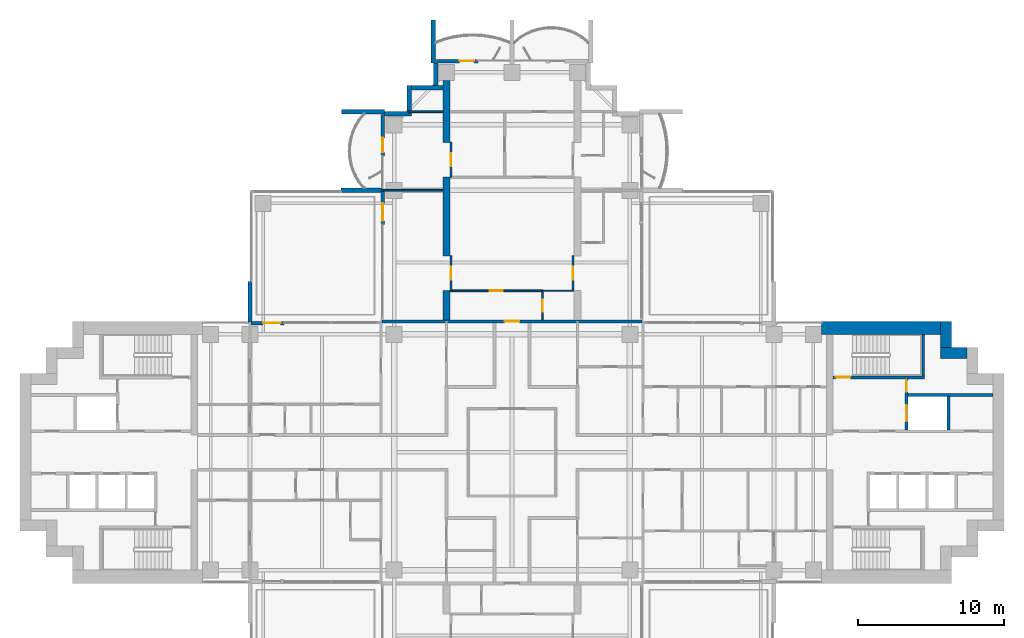
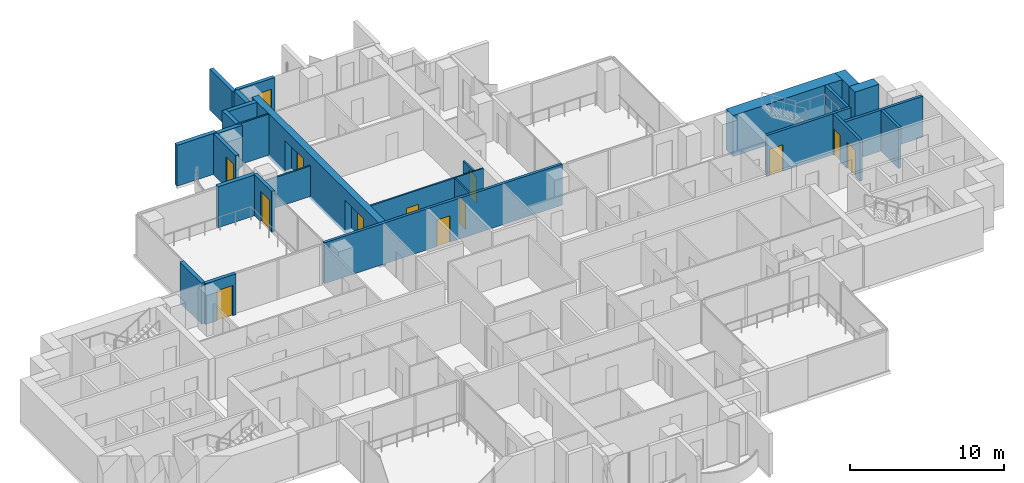
# One storey, part 13 of 19: 30 walls, 13 doors, 13 openings.
"""IFC4 building model written with IfcOpenShell, lengths in metres."""

from ifc_helpers import new_model, si_unit, direction, frame, frame_2d, origin, place, context, subcontext, project, spatial, polyline, rectangle, outline, extrude, material, layer, layer_set, material_profile, profile_set, type_object, element, fill, save


model = new_model("IFC4")

# Units and contexts
model_context = context("Model", 3, precision=1e-05, world=origin(), true_north=direction((0.0, 1.0)))
body_context = subcontext(model_context, "Body", "Model", "MODEL_VIEW")
ifc_project = project(units=[si_unit("LENGTHUNIT", "METRE"), si_unit("AREAUNIT", "SQUARE_METRE"), si_unit("VOLUMEUNIT", "CUBIC_METRE"), si_unit("PLANEANGLEUNIT", "RADIAN"), si_unit("MASSUNIT", "GRAM", prefix="KILO")], contexts=[model_context])

# Site, building, storey
site_placement = place(None, origin())
site = spatial("IfcSite", under=ifc_project, at=site_placement, CompositionType="ELEMENT")
building_placement = place(site_placement, origin())
building = spatial("IfcBuilding", under=site, at=building_placement, Name="Perihelion Cross Residences", CompositionType="ELEMENT")
storey_placement = place(building_placement, frame((0.0, 0.0, 119.89990234375)))
storey = spatial("IfcBuildingStorey", under=building, at=storey_placement, Name="L28", CompositionType="ELEMENT", Elevation=119.89990234375)

# Wall, opening, door
ifc_material_1 = material(Name="Plasterboard partition")
ifc_layer_1 = layer(ifc_material_1, 0.199951171875)
ifc_layer_set_1 = layer_set([ifc_layer_1], Name="Apartment separation wall 200")
wall_type_1 = type_object("IfcWallType", Name="Apartment separation wall 200", PredefinedType="PARTITIONING", material=ifc_layer_set_1)
wall_1_placement = place(storey_placement, frame((-8.919921875, 9.0, 0.0), z_axis=(0.0, 0.0, 1.0), x_axis=(1.0, 0.0, 0.0)))
wall_1 = element("IfcWall", 1, at=wall_1_placement, inside=storey, type_object=wall_type_1, Name="Partition L28 W021", PredefinedType="PARTITIONING", context=body_context, shape_type="SweptSolid", body=[
    extrude(rectangle(XDim=17.83984375, YDim=0.199951171875, at=frame_2d((8.919921875, 0.0))), origin(), (0.0, 0.0, 1.0), 3.25),
])
opening_1_placement = place(wall_1_placement, frame((8.419921875, 0.0, 0.0)))
opening_1 = element("IfcOpeningElement", 2, at=opening_1_placement, cuts=wall_1, Name="Opening L28.A35", PredefinedType="OPENING", context=body_context, shape_type="SweptSolid", body=[
    extrude(rectangle(XDim=1.0, YDim=2.10009765625, at=frame_2d((0.5, 1.050048828125))), frame((0.0, 0.10986328125, 0.0), z_axis=(0.0, -1.0, 0.0), x_axis=(1.0, 0.0, 0.0)), (0.0, 0.0, 1.0), 0.219970703125),
])
ifc_material_2 = material(Name="Timber door leaf", Category="wood")
door_type_1 = type_object("IfcDoorType", Name="Flat entrance door 1000 x 2100", OperationType="SINGLE_SWING_LEFT", PredefinedType="DOOR", material=ifc_material_2)
door_1_placement = place(opening_1_placement, origin())
door_1 = element("IfcDoor", 3, at=door_1_placement, inside=storey, type_object=door_type_1, Name="Door L28.A35", OperationType="SINGLE_SWING_LEFT", OverallHeight=2.10009765625, OverallWidth=1.0, PredefinedType="DOOR", context=body_context, shape_type="SweptSolid", body=[
    extrude(rectangle(XDim=1.0, YDim=2.10009765625, at=frame_2d((0.5, 1.050048828125))), frame((0.0, 0.02490234375, 0.0), z_axis=(0.0, -1.0, 0.0), x_axis=(1.0, 0.0, 0.0)), (0.0, 0.0, 1.0), 0.050048828125),
])
fill(opening_1, door_1)

ifc_material_3 = material(Name="Concrete C30/37, bronze-clad", Category="concrete")
ifc_layer_2 = layer(ifc_material_3, 0.25)
ifc_layer_set_2 = layer_set([ifc_layer_2], Name="Bronze-clad pier wall 250")
wall_type_2 = type_object("IfcWallType", Name="Bronze-clad pier wall 250", PredefinedType="SOLIDWALL", material=ifc_layer_set_2)
wall_2_placement = place(storey_placement, frame((-2.35009765625, 26.875, 0.0), z_axis=(0.0, 0.0, 1.0), x_axis=(-1.0, 0.0, 0.0)))
wall_2 = element("IfcWall", 4, at=wall_2_placement, inside=storey, type_object=wall_type_2, Name="Wall FW1 L28 north tip north bay 2 pier", PredefinedType="SOLIDWALL", context=body_context, shape_type="SweptSolid", body=[
    extrude(rectangle(XDim=2.849853515625, YDim=0.25, at=frame_2d((1.4248046875, 0.0))), origin(), (0.0, 0.0, 1.0), 3.25),
])
opening_2_placement = place(wall_2_placement, frame((0.25, 0.0, 0.0)))
opening_2 = element("IfcOpeningElement", 5, at=opening_2_placement, cuts=wall_2, Name="Opening L28.E05", PredefinedType="OPENING", context=body_context, shape_type="SweptSolid", body=[
    extrude(rectangle(XDim=1.0, YDim=2.39990234375, at=frame_2d((0.5, 1.199951171875))), frame((0.0, 0.135009765625, 0.0), z_axis=(0.0, -1.0, 0.0), x_axis=(1.0, 0.0, 0.0)), (0.0, 0.0, 1.0), 0.27001953125),
])
ifc_material_4 = material(Name="Bronze anodised aluminium, glazed", Category="aluminium")
door_type_2 = type_object("IfcDoorType", Name="Balcony door 1000 x 2400", OperationType="NOTDEFINED", PredefinedType="DOOR", material=ifc_material_4)
door_2_placement = place(opening_2_placement, origin())
door_2 = element("IfcDoor", 6, at=door_2_placement, inside=storey, type_object=door_type_2, Name="Door L28.E05 north tip north bay 2", OperationType="SINGLE_SWING_RIGHT", OverallHeight=2.39990234375, OverallWidth=1.0, PredefinedType="DOOR", context=body_context, shape_type="SweptSolid", body=[
    extrude(rectangle(XDim=1.0, YDim=2.39990234375, at=frame_2d((0.5, 1.199951171875))), frame((0.0, 0.02490234375, 0.0), z_axis=(0.0, -1.0, 0.0), x_axis=(1.0, 0.0, 0.0)), (0.0, 0.0, 1.0), 0.050048828125),
])
fill(opening_2, door_2)

wall_3_placement = place(storey_placement, frame((-8.875, 23.199951171875, 0.0), z_axis=(0.0, 0.0, 1.0), x_axis=(0.0, -1.0, 0.0)))
wall_3 = element("IfcWall", 7, at=wall_3_placement, inside=storey, type_object=wall_type_2, Name="Wall FW1 L28 north side west bay 1 pier", PredefinedType="SOLIDWALL", context=body_context, shape_type="SweptSolid", body=[
    extrude(rectangle(XDim=2.849853515625, YDim=0.25, at=frame_2d((1.4248046875, 0.0))), origin(), (0.0, 0.0, 1.0), 3.25),
])
opening_3_placement = place(wall_3_placement, frame((1.60009765625, 0.0, 0.0)))
opening_3 = element("IfcOpeningElement", 8, at=opening_3_placement, cuts=wall_3, Name="Opening L28.E06", PredefinedType="OPENING", context=body_context, shape_type="SweptSolid", body=[
    extrude(rectangle(XDim=1.0, YDim=2.39990234375, at=frame_2d((0.5, 1.199951171875))), frame((0.0, 0.135009765625, 0.0), z_axis=(0.0, -1.0, 0.0), x_axis=(1.0, 0.0, 0.0)), (0.0, 0.0, 1.0), 0.27001953125),
])
door_3_placement = place(opening_3_placement, origin())
door_3 = element("IfcDoor", 9, at=door_3_placement, inside=storey, type_object=door_type_2, Name="Door L28.E06 north side west bay 1", OperationType="SINGLE_SWING_LEFT", OverallHeight=2.39990234375, OverallWidth=1.0, PredefinedType="DOOR", context=body_context, shape_type="SweptSolid", body=[
    extrude(rectangle(XDim=1.0, YDim=2.39990234375, at=frame_2d((0.5, 1.199951171875))), frame((0.0, 0.02490234375, 0.0), z_axis=(0.0, -1.0, 0.0), x_axis=(1.0, 0.0, 0.0)), (0.0, 0.0, 1.0), 0.050048828125),
])
fill(opening_3, door_3)

wall_4_placement = place(storey_placement, frame((-8.875, 17.93994140625, 0.0), z_axis=(0.0, 0.0, 1.0), x_axis=(0.0, -1.0, 0.0)))
wall_4 = element("IfcWall", 10, at=wall_4_placement, inside=storey, type_object=wall_type_2, Name="Wall FW1 L28 north side west bay 2 pier", PredefinedType="SOLIDWALL", context=body_context, shape_type="SweptSolid", body=[
    extrude(rectangle(XDim=2.2900390625, YDim=0.25, at=frame_2d((1.14501953125, 0.0))), origin(), (0.0, 0.0, 1.0), 3.25),
])
opening_4_placement = place(wall_4_placement, frame((0.840087890625, 0.0, 0.0)))
opening_4 = element("IfcOpeningElement", 11, at=opening_4_placement, cuts=wall_4, Name="Opening L28.E07", PredefinedType="OPENING", context=body_context, shape_type="SweptSolid", body=[
    extrude(rectangle(XDim=1.199951171875, YDim=2.39990234375, at=frame_2d((0.60009765625, 1.199951171875))), frame((0.0, 0.135009765625, 0.0), z_axis=(0.0, -1.0, 0.0), x_axis=(1.0, 0.0, 0.0)), (0.0, 0.0, 1.0), 0.27001953125),
])
ifc_material_5 = material(Name="Bronze anodised aluminium, glazed", Category="aluminium")
door_type_3 = type_object("IfcDoorType", Name="Balcony door 1200 x 2400", OperationType="NOTDEFINED", PredefinedType="DOOR", material=ifc_material_5)
door_4_placement = place(opening_4_placement, origin())
door_4 = element("IfcDoor", 12, at=door_4_placement, inside=storey, type_object=door_type_3, Name="Door L28.E07 north side west bay 2", OperationType="SINGLE_SWING_RIGHT", OverallHeight=2.39990234375, OverallWidth=1.199951171875, PredefinedType="DOOR", context=body_context, shape_type="SweptSolid", body=[
    extrude(rectangle(XDim=1.199951171875, YDim=2.39990234375, at=frame_2d((0.60009765625, 1.199951171875))), frame((0.0, 0.02490234375, 0.0), z_axis=(0.0, -1.0, 0.0), x_axis=(1.0, 0.0, 0.0)), (0.0, 0.0, 1.0), 0.050048828125),
])
fill(opening_4, door_4)

wall_5_placement = place(storey_placement, frame((-15.64990234375, 8.875, 0.0), z_axis=(0.0, 0.0, 1.0), x_axis=(-1.0, 0.0, 0.0)))
wall_5 = element("IfcWall", 13, at=wall_5_placement, inside=storey, type_object=wall_type_2, Name="Wall FW1 L28 west side north bay 1 pier", PredefinedType="SOLIDWALL", context=body_context, shape_type="SweptSolid", body=[
    extrude(rectangle(XDim=2.2900390625, YDim=0.25, at=frame_2d((1.14501953125, 0.0))), origin(), (0.0, 0.0, 1.0), 3.25),
])
opening_5_placement = place(wall_5_placement, frame((0.25, 0.0, 0.0)))
opening_5 = element("IfcOpeningElement", 14, at=opening_5_placement, cuts=wall_5, Name="Opening L28.E08", PredefinedType="OPENING", context=body_context, shape_type="SweptSolid", body=[
    extrude(rectangle(XDim=1.199951171875, YDim=2.39990234375, at=frame_2d((0.60009765625, 1.199951171875))), frame((0.0, 0.135009765625, 0.0), z_axis=(0.0, -1.0, 0.0), x_axis=(1.0, 0.0, 0.0)), (0.0, 0.0, 1.0), 0.27001953125),
])
door_5_placement = place(opening_5_placement, origin())
door_5 = element("IfcDoor", 15, at=door_5_placement, inside=storey, type_object=door_type_3, Name="Door L28.E08 west side north bay 1", OperationType="SINGLE_SWING_LEFT", OverallHeight=2.39990234375, OverallWidth=1.199951171875, PredefinedType="DOOR", context=body_context, shape_type="SweptSolid", body=[
    extrude(rectangle(XDim=1.199951171875, YDim=2.39990234375, at=frame_2d((0.60009765625, 1.199951171875))), frame((0.0, 0.02490234375, 0.0), z_axis=(0.0, -1.0, 0.0), x_axis=(1.0, 0.0, 0.0)), (0.0, 0.0, 1.0), 0.050048828125),
])
fill(opening_5, door_5)

# Walls
ifc_material_6 = material(Name="Concrete C30/37, bronze-clad", Category="concrete")
ifc_layer_3 = layer(ifc_material_6, 0.300048828125)
ifc_layer_set_3 = layer_set([ifc_layer_3], Name="Bronze-clad serration wall 300")
wall_type_3 = type_object("IfcWallType", Name="Bronze-clad serration wall 300", PredefinedType="SOLIDWALL", material=ifc_layer_set_3)
wall_6_placement = place(storey_placement, frame((-5.25, 26.75, 0.0), z_axis=(0.0, 0.0, 1.0), x_axis=(0.0, -1.0, 0.0)))
element("IfcWall", 16, at=wall_6_placement, inside=storey, type_object=wall_type_3, Name="Wall SR1 L28 north corner north-west 1", PredefinedType="SOLIDWALL", context=body_context, shape_type="SweptSolid", body=[
    extrude(rectangle(XDim=1.550048828125, YDim=0.300048828125, at=frame_2d((0.77490234375, 0.0))), origin(), (0.0, 0.0, 1.0), 3.25),
])
wall_7_placement = place(storey_placement, frame((-4.75, 25.050048828125, 0.0), z_axis=(0.0, 0.0, 1.0), x_axis=(-1.0, 0.0, 0.0)))
element("IfcWall", 17, at=wall_7_placement, inside=storey, type_object=wall_type_3, Name="Wall SR1 L28 north corner north-west 2", PredefinedType="SOLIDWALL", context=body_context, shape_type="SweptSolid", body=[
    extrude(rectangle(XDim=2.14990234375, YDim=0.300048828125, at=frame_2d((1.074951171875, 0.0))), origin(), (0.0, 0.0, 1.0), 3.25),
])
wall_8_placement = place(storey_placement, frame((-7.050048828125, 25.199951171875, 0.0), z_axis=(0.0, 0.0, 1.0), x_axis=(0.0, -1.0, 0.0)))
element("IfcWall", 18, at=wall_8_placement, inside=storey, type_object=wall_type_3, Name="Wall SR1 L28 north corner north-west 3", PredefinedType="SOLIDWALL", context=body_context, shape_type="SweptSolid", body=[
    extrude(rectangle(XDim=1.800048828125, YDim=0.300048828125, at=frame_2d((0.89990234375, 0.0))), origin(), (0.0, 0.0, 1.0), 3.25),
])
wall_9_placement = place(storey_placement, frame((-6.89990234375, 23.25, 0.0), z_axis=(0.0, 0.0, 1.0), x_axis=(-1.0, 0.0, 0.0)))
element("IfcWall", 19, at=wall_9_placement, inside=storey, type_object=wall_type_3, Name="Wall SR1 L28 north corner north-west 4", PredefinedType="SOLIDWALL", context=body_context, shape_type="SweptSolid", body=[
    extrude(rectangle(XDim=1.85009765625, YDim=0.300048828125, at=frame_2d((0.925048828125, 0.0))), origin(), (0.0, 0.0, 1.0), 3.25),
])
ifc_material_7 = material(Name="Concrete C60/75", Category="concrete")
ifc_layer_4 = layer(ifc_material_7, 0.75)
ifc_layer_set_4 = layer_set([ifc_layer_4], Name="Core wall, outer 750")
wall_type_4 = type_object("IfcWallType", Name="Core wall, outer 750", PredefinedType="SHEAR", material=ifc_layer_set_4)
for number, where, z_axis, x_axis, name in (
    (20, (29.449951171875, 6.824951171875, 0.0), (0.0, 0.0, 1.0), (1.0, 0.0, 0.0), "East core core wall, outer"),
    (21, (29.824951171875, 7.199951171875, 0.0), (0.0, 0.0, 1.0), (0.0, 1.0, 0.0), "East core core wall, outer"),
):
    element("IfcWall", number, at=place(storey_placement, frame(where, z_axis=z_axis, x_axis=x_axis)), inside=storey, type_object=wall_type_4, Name=name, PredefinedType="SHEAR", context=body_context, shape_type="SweptSolid", body=[
        extrude(rectangle(XDim=1.800048828125, YDim=0.75, at=frame_2d((0.89990234375, 0.0))), origin(), (0.0, 0.0, 1.0), 3.25),
    ])
ifc_material_8 = material(Name="Concrete C60/75", Category="concrete")
ifc_layer_5 = layer(ifc_material_8, 0.89990234375)
ifc_layer_set_5 = layer_set([ifc_layer_5], Name="Core wall, outer 900")
wall_type_5 = type_object("IfcWallType", Name="Core wall, outer 900", PredefinedType="SHEAR", material=ifc_layer_set_5)
wall_10_placement = place(storey_placement, frame((21.25, 8.550048828125, 0.0), z_axis=(0.0, 0.0, 1.0), x_axis=(1.0, 0.0, 0.0)))
element("IfcWall", 22, at=wall_10_placement, inside=storey, type_object=wall_type_5, Name="East core core wall, outer", PredefinedType="SHEAR", context=body_context, shape_type="SweptSolid", body=[
    extrude(rectangle(XDim=8.199951171875, YDim=0.89990234375, at=frame_2d((4.10009765625, 0.0))), origin(), (0.0, 0.0, 1.0), 3.25),
])

# Wall, opening, door
ifc_material_9 = material(Name="Plasterboard partition")
ifc_layer_6 = layer(ifc_material_9, 0.1201171875)
ifc_layer_set_6 = layer_set([ifc_layer_6], Name="Infill panel 120")
wall_type_6 = type_object("IfcWallType", Name="Infill panel 120", PredefinedType="PARTITIONING", material=ifc_layer_set_6)
wall_11_placement = place(storey_placement, frame((4.18994140625, 11.10009765625, 0.0), z_axis=(0.0, 0.0, 1.0), x_axis=(0.0, 1.0, 0.0)))
wall_11 = element("IfcWall", 23, at=wall_11_placement, inside=storey, type_object=wall_type_6, Name="Partition L28 WI01", PredefinedType="PARTITIONING", context=body_context, shape_type="SweptSolid", body=[
    extrude(rectangle(XDim=2.39990234375, YDim=0.1201171875, at=frame_2d((1.199951171875, 0.0))), origin(), (0.0, 0.0, 1.0), 2.400146484375),
])
opening_6_placement = place(wall_11_placement, frame((0.75, 0.0, 0.0)))
opening_6 = element("IfcOpeningElement", 24, at=opening_6_placement, cuts=wall_11, Name="Opening L28.A53", PredefinedType="OPENING", context=body_context, shape_type="SweptSolid", body=[
    extrude(rectangle(XDim=0.89990234375, YDim=2.10009765625, at=frame_2d((0.449951171875, 1.050048828125))), frame((0.0, 0.070068359375, 0.0), z_axis=(0.0, -1.0, 0.0), x_axis=(1.0, 0.0, 0.0)), (0.0, 0.0, 1.0), 0.14013671875),
])
ifc_material_10 = material(Name="Timber door leaf", Category="wood")
door_type_4 = type_object("IfcDoorType", Name="Interior room door 900 x 2100", OperationType="SINGLE_SWING_LEFT", PredefinedType="DOOR", material=ifc_material_10)
door_6_placement = place(opening_6_placement, origin())
door_6 = element("IfcDoor", 25, at=door_6_placement, inside=storey, type_object=door_type_4, Name="Door L28.A53", OperationType="SINGLE_SWING_LEFT", OverallHeight=2.10009765625, OverallWidth=0.89990234375, PredefinedType="DOOR", context=body_context, shape_type="SweptSolid", body=[
    extrude(rectangle(XDim=0.89990234375, YDim=2.10009765625, at=frame_2d((0.449951171875, 1.050048828125))), frame((0.0, 0.02490234375, 0.0), z_axis=(0.0, -1.0, 0.0), x_axis=(1.0, 0.0, 0.0)), (0.0, 0.0, 1.0), 0.050048828125),
])
fill(opening_6, door_6)

wall_12_placement = place(storey_placement, frame((-4.18994140625, 11.10009765625, 0.0), z_axis=(0.0, 0.0, 1.0), x_axis=(0.0, 1.0, 0.0)))
wall_12 = element("IfcWall", 26, at=wall_12_placement, inside=storey, type_object=wall_type_6, Name="Partition L28 WI03", PredefinedType="PARTITIONING", context=body_context, shape_type="SweptSolid", body=[
    extrude(rectangle(XDim=2.39990234375, YDim=0.1201171875, at=frame_2d((1.199951171875, 0.0))), origin(), (0.0, 0.0, 1.0), 2.400146484375),
])
opening_7_placement = place(wall_12_placement, frame((0.75, 0.0, 0.0)))
opening_7 = element("IfcOpeningElement", 27, at=opening_7_placement, cuts=wall_12, Name="Opening L28.A55", PredefinedType="OPENING", context=body_context, shape_type="SweptSolid", body=[
    extrude(rectangle(XDim=0.89990234375, YDim=2.10009765625, at=frame_2d((0.449951171875, 1.050048828125))), frame((0.0, 0.070068359375, 0.0), z_axis=(0.0, -1.0, 0.0), x_axis=(1.0, 0.0, 0.0)), (0.0, 0.0, 1.0), 0.14013671875),
])
door_7_placement = place(opening_7_placement, origin())
door_7 = element("IfcDoor", 28, at=door_7_placement, inside=storey, type_object=door_type_4, Name="Door L28.A55", OperationType="SINGLE_SWING_RIGHT", OverallHeight=2.10009765625, OverallWidth=0.89990234375, PredefinedType="DOOR", context=body_context, shape_type="SweptSolid", body=[
    extrude(rectangle(XDim=0.89990234375, YDim=2.10009765625, at=frame_2d((0.449951171875, 1.050048828125))), frame((0.0, 0.02490234375, 0.0), z_axis=(0.0, -1.0, 0.0), x_axis=(1.0, 0.0, 0.0)), (0.0, 0.0, 1.0), 0.050048828125),
])
fill(opening_7, door_7)

wall_13_placement = place(storey_placement, frame((-4.18994140625, 18.89990234375, 0.0), z_axis=(0.0, 0.0, 1.0), x_axis=(0.0, 1.0, 0.0)))
wall_13 = element("IfcWall", 29, at=wall_13_placement, inside=storey, type_object=wall_type_6, Name="Partition L28 WI04", PredefinedType="PARTITIONING", context=body_context, shape_type="SweptSolid", body=[
    extrude(rectangle(XDim=2.400146484375, YDim=0.1201171875, at=frame_2d((1.2001953125, 0.0))), origin(), (0.0, 0.0, 1.0), 2.400146484375),
])
opening_8_placement = place(wall_13_placement, frame((0.75, 0.0, 0.0)))
opening_8 = element("IfcOpeningElement", 30, at=opening_8_placement, cuts=wall_13, Name="Opening L28.A56", PredefinedType="OPENING", context=body_context, shape_type="SweptSolid", body=[
    extrude(rectangle(XDim=0.89990234375, YDim=2.10009765625, at=frame_2d((0.449951171875, 1.050048828125))), frame((0.0, 0.070068359375, 0.0), z_axis=(0.0, -1.0, 0.0), x_axis=(1.0, 0.0, 0.0)), (0.0, 0.0, 1.0), 0.14013671875),
])
door_8_placement = place(opening_8_placement, origin())
door_8 = element("IfcDoor", 31, at=door_8_placement, inside=storey, type_object=door_type_4, Name="Door L28.A56", OperationType="SINGLE_SWING_LEFT", OverallHeight=2.10009765625, OverallWidth=0.89990234375, PredefinedType="DOOR", context=body_context, shape_type="SweptSolid", body=[
    extrude(rectangle(XDim=0.89990234375, YDim=2.10009765625, at=frame_2d((0.449951171875, 1.050048828125))), frame((0.0, 0.02490234375, 0.0), z_axis=(0.0, -1.0, 0.0), x_axis=(1.0, 0.0, 0.0)), (0.0, 0.0, 1.0), 0.050048828125),
])
fill(opening_8, door_8)

ifc_material_11 = material(Name="Plasterboard partition")
ifc_layer_7 = layer(ifc_material_11, 0.1201171875)
ifc_layer_set_7 = layer_set([ifc_layer_7], Name="Partition wall 120")
wall_type_7 = type_object("IfcWallType", Name="Partition wall 120", PredefinedType="PARTITIONING", material=ifc_layer_set_7)
wall_14_placement = place(storey_placement, frame((-4.25, 11.10009765625, 0.0), z_axis=(0.0, 0.0, 1.0), x_axis=(1.0, 0.0, 0.0)))
wall_14 = element("IfcWall", 32, at=wall_14_placement, inside=storey, type_object=wall_type_7, Name="Partition L28 W067", PredefinedType="PARTITIONING", context=body_context, shape_type="SweptSolid", body=[
    extrude(rectangle(XDim=6.35009765625, YDim=0.1201171875, at=frame_2d((3.175048828125, 0.0))), origin(), (0.0, 0.0, 1.0), 3.25),
])
opening_9_placement = place(wall_14_placement, frame((2.72509765625, 0.0, 0.0)))
opening_9 = element("IfcOpeningElement", 33, at=opening_9_placement, cuts=wall_14, Name="Opening L28.A37", PredefinedType="OPENING", context=body_context, shape_type="SweptSolid", body=[
    extrude(rectangle(XDim=0.89990234375, YDim=2.10009765625, at=frame_2d((0.449951171875, 1.050048828125))), frame((0.0, 0.070068359375, 0.0), z_axis=(0.0, -1.0, 0.0), x_axis=(1.0, 0.0, 0.0)), (0.0, 0.0, 1.0), 0.14013671875),
])
door_9_placement = place(opening_9_placement, origin())
door_9 = element("IfcDoor", 34, at=door_9_placement, inside=storey, type_object=door_type_4, Name="Door L28.A37", OperationType="SINGLE_SWING_RIGHT", OverallHeight=2.10009765625, OverallWidth=0.89990234375, PredefinedType="DOOR", context=body_context, shape_type="SweptSolid", body=[
    extrude(rectangle(XDim=0.89990234375, YDim=2.10009765625, at=frame_2d((0.449951171875, 1.050048828125))), frame((0.0, 0.02490234375, 0.0), z_axis=(0.0, -1.0, 0.0), x_axis=(1.0, 0.0, 0.0)), (0.0, 0.0, 1.0), 0.050048828125),
])
fill(opening_9, door_9)

# Walls
wall_15_placement = place(storey_placement, frame((-8.919921875, 18.0, 0.0), z_axis=(0.0, 0.0, 1.0), x_axis=(1.0, 0.0, 0.0)))
element("IfcWall", 35, at=wall_15_placement, inside=storey, type_object=wall_type_7, Name="Partition L28 W080", PredefinedType="PARTITIONING", context=body_context, shape_type="SweptSolid", body=[
    extrude(rectangle(XDim=4.169921875, YDim=0.1201171875, at=frame_2d((2.0849609375, 0.0))), origin(), (0.0, 0.0, 1.0), 2.4140625),
])
wall_16_placement = place(storey_placement, frame((-7.1201171875, 23.39990234375, 0.0), z_axis=(0.0, 0.0, 1.0), x_axis=(1.0, 0.0, 0.0)))
element("IfcWall", 36, at=wall_16_placement, inside=storey, type_object=wall_type_7, Name="Partition L28 W081", PredefinedType="PARTITIONING", context=body_context, shape_type="SweptSolid", body=[
    extrude(rectangle(XDim=2.3701171875, YDim=0.1201171875, at=frame_2d((1.18505859375, 0.0))), origin(), (0.0, 0.0, 1.0), 3.25),
])
ifc_material_12 = material(Name="Precast concrete C50/60", Category="concrete")
ifc_layer_8 = layer(ifc_material_12, 0.300048828125)
ifc_layer_set_8 = layer_set([ifc_layer_8], Name="Precast concrete C50/60 blade wall 300")
wall_type_8 = type_object("IfcWallType", Name="Precast concrete C50/60 blade wall 300", PredefinedType="SOLIDWALL", material=ifc_layer_set_8)
for number, where, z_axis, x_axis, name in (
    (37, (-18.0, 8.919921875, 0.0), (0.0, 0.0, 1.0), (0.0, 1.0, 0.0), "Wall BL1 L28 no. 2"),
    (38, (-8.919921875, 18.0, 0.0), (0.0, 0.0, 1.0), (-1.0, 0.0, 0.0), "Wall BL1 L28 no. 6"),
):
    element("IfcWall", number, at=place(storey_placement, frame(where, z_axis=z_axis, x_axis=x_axis)), inside=storey, type_object=wall_type_8, Name=name, PredefinedType="SOLIDWALL", context=body_context, shape_type="SweptSolid", body=[
        extrude(rectangle(XDim=2.820068359375, YDim=0.300048828125, at=frame_2d((1.41015625, 0.0))), origin(), (0.0, 0.0, 1.0), 3.25),
    ])
for number, where, z_axis, x_axis, name in (
    (39, (-8.75, 23.39990234375, 0.0), (0.0, 0.0, 1.0), (-1.0, 0.0, 0.0), "Wall BL1 L28 no. 7"),
    (40, (-5.39990234375, 26.75, 0.0), (0.0, 0.0, 1.0), (0.0, 1.0, 0.0), "Wall BL1 L28 no. 4"),
):
    element("IfcWall", number, at=place(storey_placement, frame(where, z_axis=z_axis, x_axis=x_axis)), inside=storey, type_object=wall_type_8, Name=name, PredefinedType="SOLIDWALL", context=body_context, shape_type="SweptSolid", body=[
        extrude(rectangle(XDim=2.949951171875, YDim=0.300048828125, at=frame_2d((1.47509765625, 0.0))), origin(), (0.0, 0.0, 1.0), 3.25),
    ])
ifc_material_13 = material(Name="Concrete C50/60", Category="concrete")
ifc_layer_9 = layer(ifc_material_13, 0.199951171875)
ifc_layer_set_9 = layer_set([ifc_layer_9], Name="Shaft wall 200")
wall_type_9 = type_object("IfcWallType", Name="Shaft wall 200", PredefinedType="SOLIDWALL", material=ifc_layer_set_9)
wall_17_placement = place(storey_placement, frame((27.199951171875, 3.949951171875, 0.0), z_axis=(0.0, 0.0, 1.0), x_axis=(1.0, 0.0, 0.0)))
element("IfcWall", 41, at=wall_17_placement, inside=storey, type_object=wall_type_9, Name="East core shaft wall", PredefinedType="SOLIDWALL", context=body_context, shape_type="SweptSolid", body=[
    extrude(rectangle(XDim=5.85009765625, YDim=0.199951171875, at=frame_2d((2.925048828125, 0.0))), origin(), (0.0, 0.0, 1.0), 3.25),
])

# Wall, openings, doors
wall_18_placement = place(storey_placement, frame((27.10009765625, 1.550048828125, 0.0), z_axis=(0.0, 0.0, 1.0), x_axis=(0.0, 1.0, 0.0)))
wall_18 = element("IfcWall", 42, at=wall_18_placement, inside=storey, type_object=wall_type_9, Name="East core shaft wall", PredefinedType="SOLIDWALL", context=body_context, shape_type="SweptSolid", body=[
    extrude(rectangle(XDim=3.5, YDim=0.199951171875, at=frame_2d((1.75, 0.0))), origin(), (0.0, 0.0, 1.0), 3.25),
])
opening_10_placement = place(wall_18_placement, frame((0.60009765625, 0.0, 0.0)))
opening_10 = element("IfcOpeningElement", 43, at=opening_10_placement, cuts=wall_18, Name="Opening L28.C02", PredefinedType="OPENING", context=body_context, shape_type="SweptSolid", body=[
    extrude(rectangle(XDim=1.10009765625, YDim=2.10009765625, at=frame_2d((0.550048828125, 1.050048828125))), frame((0.0, 0.10986328125, 0.0), z_axis=(0.0, -1.0, 0.0), x_axis=(1.0, 0.0, 0.0)), (0.0, 0.0, 1.0), 0.219970703125),
])
opening_11_placement = place(wall_18_placement, frame((2.60009765625, 0.0, 0.0)))
opening_11 = element("IfcOpeningElement", 44, at=opening_11_placement, cuts=wall_18, Name="Opening L28.C10", PredefinedType="OPENING", context=body_context, shape_type="SweptSolid", body=[
    extrude(rectangle(XDim=0.800048828125, YDim=2.10009765625, at=frame_2d((0.39990234375, 1.050048828125))), frame((0.0, 0.10986328125, 0.0), z_axis=(0.0, -1.0, 0.0), x_axis=(1.0, 0.0, 0.0)), (0.0, 0.0, 1.0), 0.219970703125),
])
ifc_material_14 = material(Name="Stainless steel", Category="steel")
door_type_5 = type_object("IfcDoorType", Name="Landing door, firefighting lift 1100", OperationType="DOUBLE_DOOR_SLIDING", PredefinedType="DOOR", material=ifc_material_14)
door_10_placement = place(opening_10_placement, origin())
door_10 = element("IfcDoor", 45, at=door_10_placement, inside=storey, type_object=door_type_5, Name="Landing door, East core firefighting and service lift", OperationType="DOUBLE_DOOR_SLIDING", OverallHeight=2.10009765625, OverallWidth=1.10009765625, PredefinedType="DOOR", context=body_context, shape_type="SweptSolid", body=[
    extrude(rectangle(XDim=1.10009765625, YDim=2.10009765625, at=frame_2d((0.550048828125, 1.050048828125))), frame((0.0, 0.02490234375, 0.0), z_axis=(0.0, -1.0, 0.0), x_axis=(1.0, 0.0, 0.0)), (0.0, 0.0, 1.0), 0.050048828125),
])
fill(opening_10, door_10)
ifc_material_15 = material(Name="Steel, powder coated", Category="steel")
door_type_6 = type_object("IfcDoorType", Name="Riser door 800", OperationType="SINGLE_SWING_LEFT", PredefinedType="DOOR", material=ifc_material_15)
door_11_placement = place(opening_11_placement, origin())
door_11 = element("IfcDoor", 46, at=door_11_placement, inside=storey, type_object=door_type_6, Name="East core riser door", OperationType="SINGLE_SWING_LEFT", OverallHeight=2.10009765625, OverallWidth=0.800048828125, PredefinedType="DOOR", context=body_context, shape_type="SweptSolid", body=[
    extrude(rectangle(XDim=0.800048828125, YDim=2.10009765625, at=frame_2d((0.39990234375, 1.050048828125))), frame((0.0, 0.02490234375, 0.0), z_axis=(0.0, -1.0, 0.0), x_axis=(1.0, 0.0, 0.0)), (0.0, 0.0, 1.0), 0.050048828125),
])
fill(opening_11, door_11)

# Wall
wall_19_placement = place(storey_placement, frame((30.0, 1.550048828125, 0.0), z_axis=(0.0, 0.0, 1.0), x_axis=(0.0, 1.0, 0.0)))
element("IfcWall", 47, at=wall_19_placement, inside=storey, type_object=wall_type_9, Name="East core shaft wall", PredefinedType="SOLIDWALL", context=body_context, shape_type="SweptSolid", body=[
    extrude(rectangle(XDim=2.300048828125, YDim=0.199951171875, at=frame_2d((1.14990234375, 0.0))), origin(), (0.0, 0.0, 1.0), 3.25),
])

# Wall, opening, door
ifc_material_16 = material(Name="Concrete C50/60", Category="concrete")
ifc_layer_10 = layer(ifc_material_16, 0.199951171875)
ifc_layer_set_10 = layer_set([ifc_layer_10], Name="Stair wall 200")
wall_type_10 = type_object("IfcWallType", Name="Stair wall 200", PredefinedType="SOLIDWALL", material=ifc_layer_set_10)
wall_20_placement = place(storey_placement, frame((22.050048828125, 5.14990234375, 0.0), z_axis=(0.0, 0.0, 1.0), x_axis=(1.0, 0.0, 0.0)))
wall_20 = element("IfcWall", 48, at=wall_20_placement, inside=storey, type_object=wall_type_10, Name="East core stair wall", PredefinedType="SOLIDWALL", context=body_context, shape_type="SweptSolid", body=[
    extrude(rectangle(XDim=6.300048828125, YDim=0.199951171875, at=frame_2d((3.14990234375, 0.0))), origin(), (0.0, 0.0, 1.0), 3.25),
])
opening_12_placement = place(wall_20_placement, frame((0.199951171875, 0.0, 0.0)))
opening_12 = element("IfcOpeningElement", 49, at=opening_12_placement, cuts=wall_20, Name="Opening L28.C06", PredefinedType="OPENING", context=body_context, shape_type="SweptSolid", body=[
    extrude(rectangle(XDim=1.0, YDim=2.10009765625, at=frame_2d((0.5, 1.050048828125))), frame((0.0, 0.10986328125, 0.0), z_axis=(0.0, -1.0, 0.0), x_axis=(1.0, 0.0, 0.0)), (0.0, 0.0, 1.0), 0.219970703125),
])
ifc_material_17 = material(Name="Steel, powder coated", Category="steel")
door_type_7 = type_object("IfcDoorType", Name="Stair door 1000", OperationType="SINGLE_SWING_LEFT", PredefinedType="DOOR", material=ifc_material_17)
door_12_placement = place(opening_12_placement, origin())
door_12 = element("IfcDoor", 50, at=door_12_placement, inside=storey, type_object=door_type_7, Name="East core stair door", OperationType="SINGLE_SWING_LEFT", OverallHeight=2.10009765625, OverallWidth=1.0, PredefinedType="DOOR", context=body_context, shape_type="SweptSolid", body=[
    extrude(rectangle(XDim=1.0, YDim=2.10009765625, at=frame_2d((0.5, 1.050048828125))), frame((0.0, 0.02490234375, 0.0), z_axis=(0.0, -1.0, 0.0), x_axis=(1.0, 0.0, 0.0)), (0.0, 0.0, 1.0), 0.050048828125),
])
fill(opening_12, door_12)

# Walls
wall_21_placement = place(storey_placement, frame((28.25, 5.25, 0.0), z_axis=(0.0, 0.0, 1.0), x_axis=(0.0, 1.0, 0.0)))
element("IfcWall", 51, at=wall_21_placement, inside=storey, type_object=wall_type_10, Name="East core stair wall", PredefinedType="SOLIDWALL", context=body_context, shape_type="SweptSolid", body=[
    extrude(rectangle(XDim=2.85009765625, YDim=0.199951171875, at=frame_2d((1.425048828125, 0.0))), origin(), (0.0, 0.0, 1.0), 3.25),
])
ifc_material_18 = material(Name="Concrete C60/75", Category="concrete")
ifc_material_profile = material_profile(ifc_material_18, outline(polyline([(0.0, 0.0), (2.10009765625, 0.0), (2.10009765625, 2.64990234375), (4.5, 2.64990234375), (4.5, 0.0), (9.89990234375, 0.0), (9.89990234375, 2.64990234375), (12.300048828125, 2.64990234375), (12.300048828125, 0.0), (16.550048828125, 0.0), (16.550048828125, 3.5), (0.0, 3.5), (0.0, 0.0)])), Name="Tip spine wall")
ifc_profile_set = profile_set([ifc_material_profile], Name="Concrete C60/75")
wall_type_11 = type_object("IfcWallType", Name="Tip spine wall 500 with 2 door openings 16550 long 3500 high concrete C60/75", PredefinedType="SHEAR", material=ifc_profile_set)
wall_22_placement = place(storey_placement, frame((-4.75, 9.0, -0.25), z_axis=(1.0, 0.0, 0.0), x_axis=(0.0, 1.0, 0.0)))
element("IfcWall", 52, at=wall_22_placement, inside=storey, type_object=wall_type_11, Name="Shear wall SW34 L28 north west", PredefinedType="SHEAR", context=body_context, shape_type="SweptSolid", body=[
    extrude(outline(polyline([(0.0, 0.0), (2.10009765625, 0.0), (2.10009765625, 2.64990234375), (4.5, 2.64990234375), (4.5, 0.0), (9.89990234375, 0.0), (9.89990234375, 2.64990234375), (12.300048828125, 2.64990234375), (12.300048828125, 0.0), (16.550048828125, 0.0), (16.550048828125, 3.5), (0.0, 3.5), (0.0, 0.0)])), origin(), (0.0, 0.0, 1.0), 0.5),
])

# Wall, opening, door
ifc_material_19 = material(Name="Plasterboard partition")
ifc_layer_11 = layer(ifc_material_19, 0.10009765625)
ifc_layer_set_11 = layer_set([ifc_layer_11], Name="Wet room wall 100")
wall_type_12 = type_object("IfcWallType", Name="Wet room wall 100", PredefinedType="PARTITIONING", material=ifc_layer_set_11)
wall_23_placement = place(storey_placement, frame((2.10009765625, 11.0400390625, 0.0), z_axis=(0.0, 0.0, 1.0), x_axis=(0.0, -1.0, 0.0)))
wall_23 = element("IfcWall", 53, at=wall_23_placement, inside=storey, type_object=wall_type_12, Name="Partition L28 W066", PredefinedType="PARTITIONING", context=body_context, shape_type="SweptSolid", body=[
    extrude(rectangle(XDim=1.93994140625, YDim=0.10009765625, at=frame_2d((0.969970703125, 0.0))), origin(), (0.0, 0.0, 1.0), 3.25),
])
opening_13_placement = place(wall_23_placement, frame((0.544921875, 0.0, 0.0)))
opening_13 = element("IfcOpeningElement", 54, at=opening_13_placement, cuts=wall_23, Name="Opening L28.A36", PredefinedType="OPENING", context=body_context, shape_type="SweptSolid", body=[
    extrude(rectangle(XDim=0.85009765625, YDim=2.10009765625, at=frame_2d((0.425048828125, 1.050048828125))), frame((0.0, 0.06005859375, 0.0), z_axis=(0.0, -1.0, 0.0), x_axis=(1.0, 0.0, 0.0)), (0.0, 0.0, 1.0), 0.1201171875),
])
ifc_material_20 = material(Name="Timber door leaf", Category="wood")
door_type_8 = type_object("IfcDoorType", Name="Interior bathroom door 850 x 2100", OperationType="SINGLE_SWING_LEFT", PredefinedType="DOOR", material=ifc_material_20)
door_13_placement = place(opening_13_placement, origin())
door_13 = element("IfcDoor", 55, at=door_13_placement, inside=storey, type_object=door_type_8, Name="Door L28.A36", OperationType="SINGLE_SWING_RIGHT", OverallHeight=2.10009765625, OverallWidth=0.85009765625, PredefinedType="DOOR", context=body_context, shape_type="SweptSolid", body=[
    extrude(rectangle(XDim=0.85009765625, YDim=2.10009765625, at=frame_2d((0.425048828125, 1.050048828125))), frame((0.0, 0.02490234375, 0.0), z_axis=(0.0, -1.0, 0.0), x_axis=(1.0, 0.0, 0.0)), (0.0, 0.0, 1.0), 0.050048828125),
])
fill(opening_13, door_13)

# Wall
wall_24_placement = place(storey_placement, frame((2.10009765625, 11.10009765625, 0.0), z_axis=(0.0, 0.0, 1.0), x_axis=(1.0, 0.0, 0.0)))
element("IfcWall", 56, at=wall_24_placement, inside=storey, type_object=wall_type_12, Name="Partition L28 W068", PredefinedType="PARTITIONING", context=body_context, shape_type="SweptSolid", body=[
    extrude(rectangle(XDim=2.14990234375, YDim=0.10009765625, at=frame_2d((1.074951171875, 0.0))), origin(), (0.0, 0.0, 1.0), 3.25),
])

save(model, "model.ifc")
